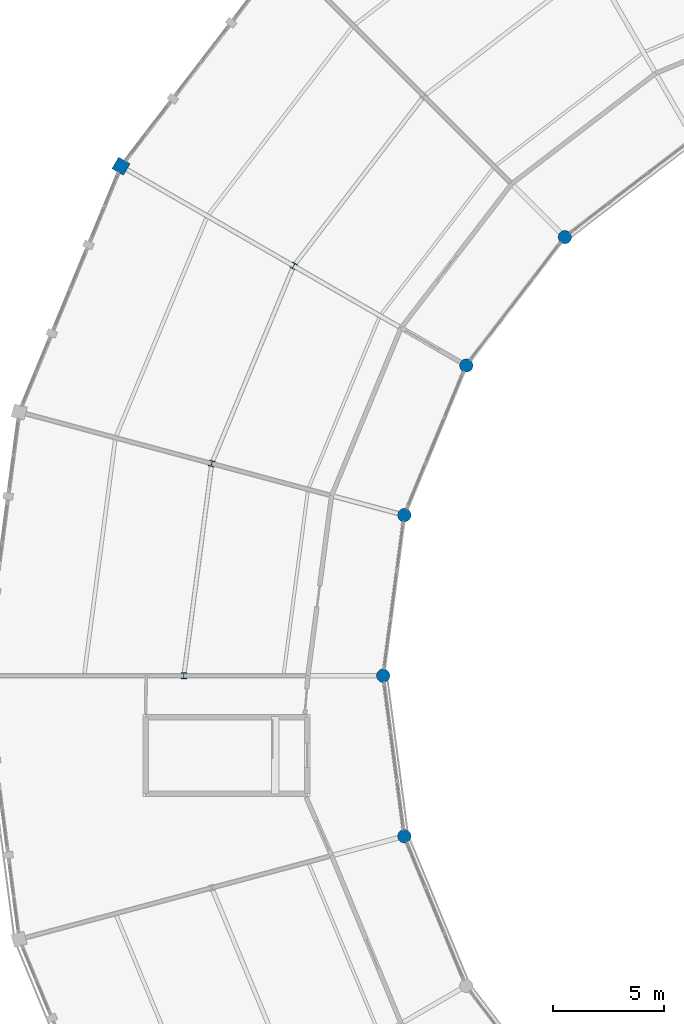
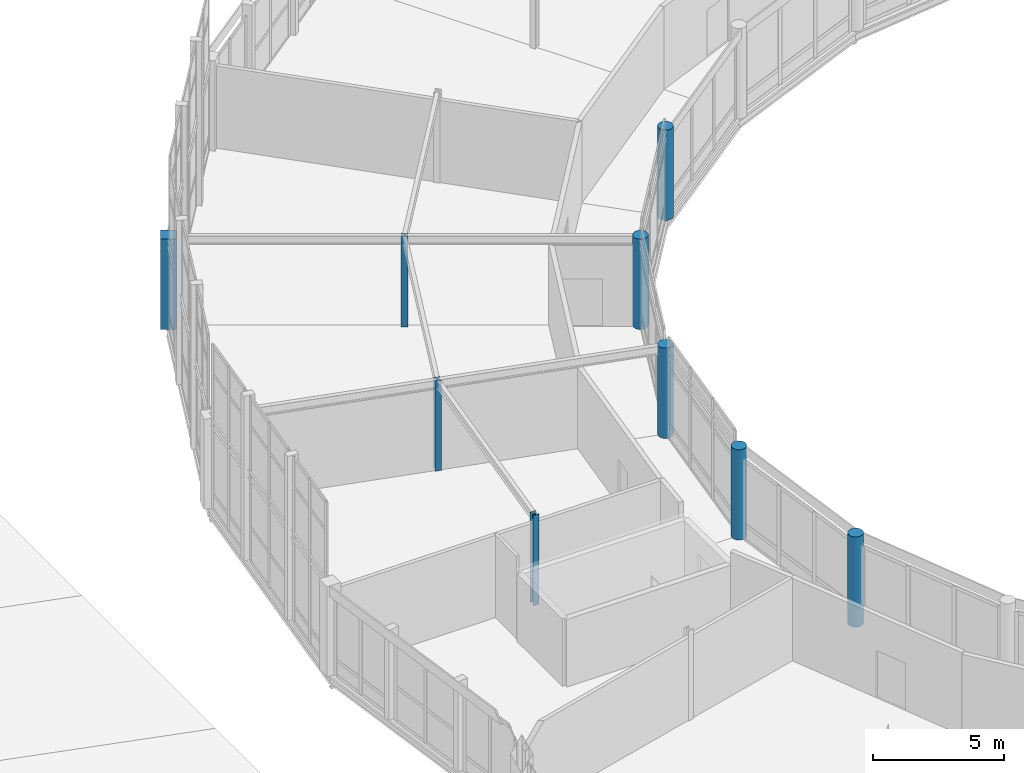
# One storey, part 8 of 200: 9 columns.
"""IFC4 building model written with IfcOpenShell, lengths in metres."""

from ifc_helpers import new_model, si_unit, direction, frame, origin, origin_2d, place, context, subcontext, project, spatial, rectangle, circle, i_section, extrude, material, material_profile, profile_set, type_object, element, save


model = new_model("IFC4")

# Units and contexts
model_context = context("Model", 3, precision=1e-05, world=origin(), true_north=direction((0.0, 1.0)))
body_context = subcontext(model_context, "Body", "Model", "MODEL_VIEW")
ifc_project = project(units=[si_unit("LENGTHUNIT", "METRE"), si_unit("AREAUNIT", "SQUARE_METRE"), si_unit("VOLUMEUNIT", "CUBIC_METRE"), si_unit("PLANEANGLEUNIT", "RADIAN"), si_unit("MASSUNIT", "GRAM", prefix="KILO")], contexts=[model_context])

# Site, building, storey
site_placement = place(None, origin())
site = spatial("IfcSite", under=ifc_project, at=site_placement, CompositionType="ELEMENT")
building_placement = place(site_placement, origin())
building = spatial("IfcBuilding", under=site, at=building_placement, Name="Vondelvale Polytechnic", CompositionType="ELEMENT")
storey_placement = place(building_placement, frame((0.0, 0.0, 13.800048828125)))
storey = spatial("IfcBuildingStorey", under=building, at=storey_placement, Name="L03", CompositionType="ELEMENT", Elevation=13.800048828125)

# Columns
ifc_material_1 = material(Name="Concrete N50 (f'c = 50 MPa)", Category="concrete")
ifc_material_profile_1 = material_profile(ifc_material_1, rectangle(XDim=0.60009765625, YDim=0.60009765625, at=origin_2d()), Name="RC-COL-600x600")
ifc_profile_set_1 = profile_set([ifc_material_profile_1], Name="Concrete N50 (f'c = 50 MPa)")
column_type_1 = type_object("IfcColumnType", Name="COL-RC600", PredefinedType="COLUMN", material=ifc_profile_set_1)
column_placement = place(storey_placement, frame((62.162841796875, 95.0, 0.0), z_axis=(0.0, 0.0, 1.0), x_axis=(-0.866025403784, 0.5, 0.0)))
element("IfcColumn", 1, at=column_placement, inside=storey, type_object=column_type_1, Name="L03 courtyard ring column S10-RO", PredefinedType="COLUMN", context=body_context, shape_type="SweptSolid", body=[
    extrude(rectangle(XDim=0.60009765625, YDim=0.60009765625, at=origin_2d()), origin(), (0.0, 0.0, 1.0), 4.199951171875),
])
ifc_material_profile_2 = material_profile(ifc_material_1, circle(Radius=0.300048828125, at=origin_2d()), Name="RC-COL-D600")
ifc_profile_set_2 = profile_set([ifc_material_profile_2], Name="Concrete N50 (f'c = 50 MPa)")
column_type_2 = type_object("IfcColumnType", Name="COL-RCD600", PredefinedType="COLUMN", material=ifc_profile_set_2)
for number, where, z_axis, x_axis, name in (
    (2, (82.200927734375, 91.799072265625, 0.0), (0.0, 0.0, 1.0), (-0.707106781187, 0.707106781187, 0.0), "L03 courtyard ring column S09-RI"),
    (3, (77.751220703125, 86.0, 0.0), (0.0, 0.0, 1.0), (-0.866025403784, 0.5, 0.0), "L03 courtyard ring column S10-RI"),
    (4, (74.9541015625, 79.246826171875, 0.0), (0.0, 0.0, 1.0), (-0.965925826289, 0.258819045103, 0.0), "L03 courtyard ring column S11-RI"),
    (5, (74.0, 72.0, 0.0), (0.0, 0.0, 1.0), (1.0, 0.0, 0.0), "L03 courtyard ring column S12-RI"),
    (6, (74.9541015625, 64.753173828125, 0.0), (0.0, 0.0, 1.0), (0.965925826289, 0.258819045103, 0.0), "L03 courtyard ring column S13-RI"),
):
    element("IfcColumn", number, at=place(storey_placement, frame(where, z_axis=z_axis, x_axis=x_axis)), inside=storey, type_object=column_type_2, Name=name, PredefinedType="COLUMN", context=body_context, shape_type="SweptSolid", body=[
        extrude(circle(Radius=0.300048828125, at=origin_2d()), origin(), (0.0, 0.0, 1.0), 4.199951171875),
    ])
ifc_material_2 = material(Name="Steel 300PLUS (fy = 300 MPa)", Category="steel")
ifc_material_profile_3 = material_profile(ifc_material_2, i_section(OverallWidth=0.25390625, OverallDepth=0.25390625, WebThickness=0.008544921875, FlangeThickness=0.01416015625, FilletRadius=0.013916015625, at=origin_2d()), Name="250UC72.9")
ifc_profile_set_3 = profile_set([ifc_material_profile_3], Name="Steel 300PLUS (fy = 300 MPa)")
column_type_3 = type_object("IfcColumnType", Name="COL-UC250L", PredefinedType="COLUMN", material=ifc_profile_set_3)
for number, where, z_axis, x_axis, name in (
    (7, (69.95703125, 90.5, 0.0), (0.0, 0.0, 1.0), (-0.866025403784, 0.5, 0.0), "L03 courtyard ring column S10-RM"),
    (8, (66.2607421875, 81.576416015625, 0.0), (0.0, 0.0, 1.0), (-0.965925826289, 0.258819045103, 0.0), "L03 courtyard ring column S11-RM"),
    (9, (65.0, 72.0, 0.0), (0.0, 0.0, 1.0), (1.0, 0.0, 0.0), "L03 courtyard ring column S12-RM"),
):
    element("IfcColumn", number, at=place(storey_placement, frame(where, z_axis=z_axis, x_axis=x_axis)), inside=storey, type_object=column_type_3, Name=name, PredefinedType="COLUMN", context=body_context, shape_type="SweptSolid", body=[
        extrude(i_section(OverallWidth=0.25390625, OverallDepth=0.25390625, WebThickness=0.008544921875, FlangeThickness=0.01416015625, FilletRadius=0.013916015625, at=origin_2d()), origin(), (0.0, 0.0, 1.0), 4.199951171875),
    ])

save(model, "model.ifc")
